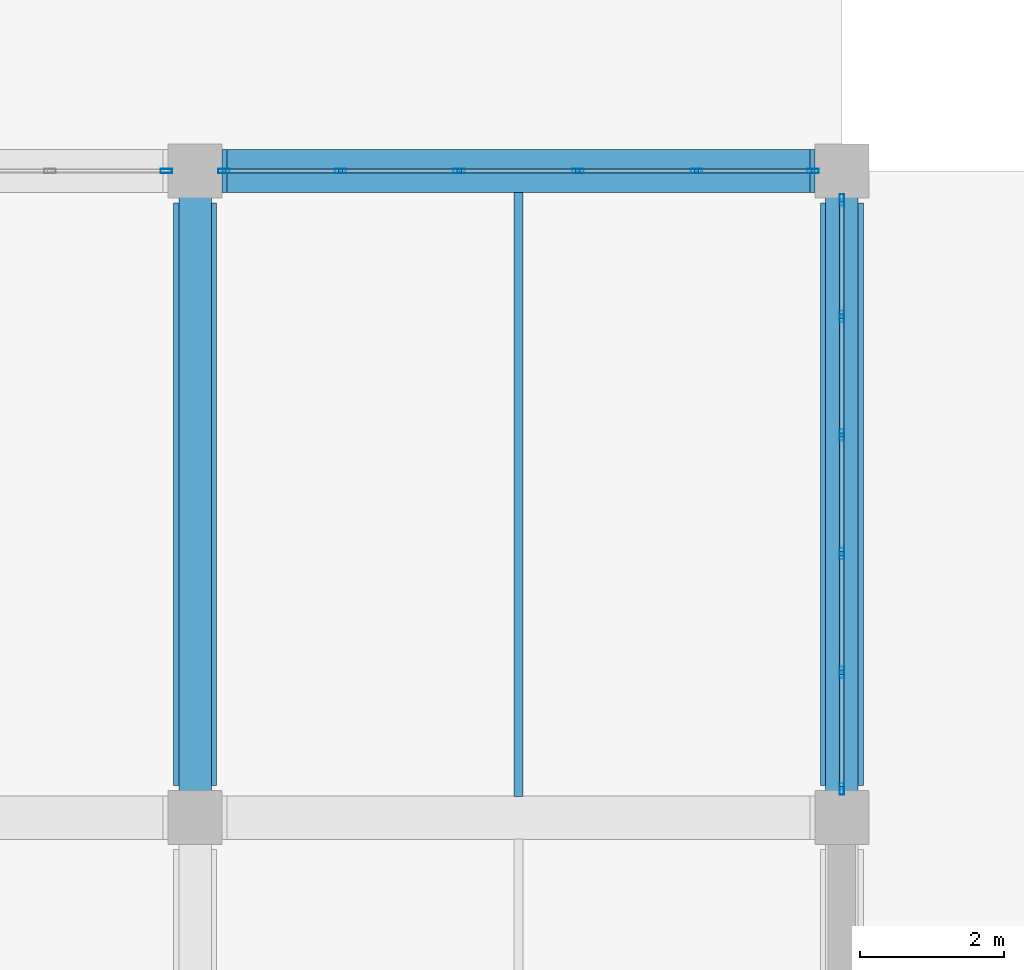
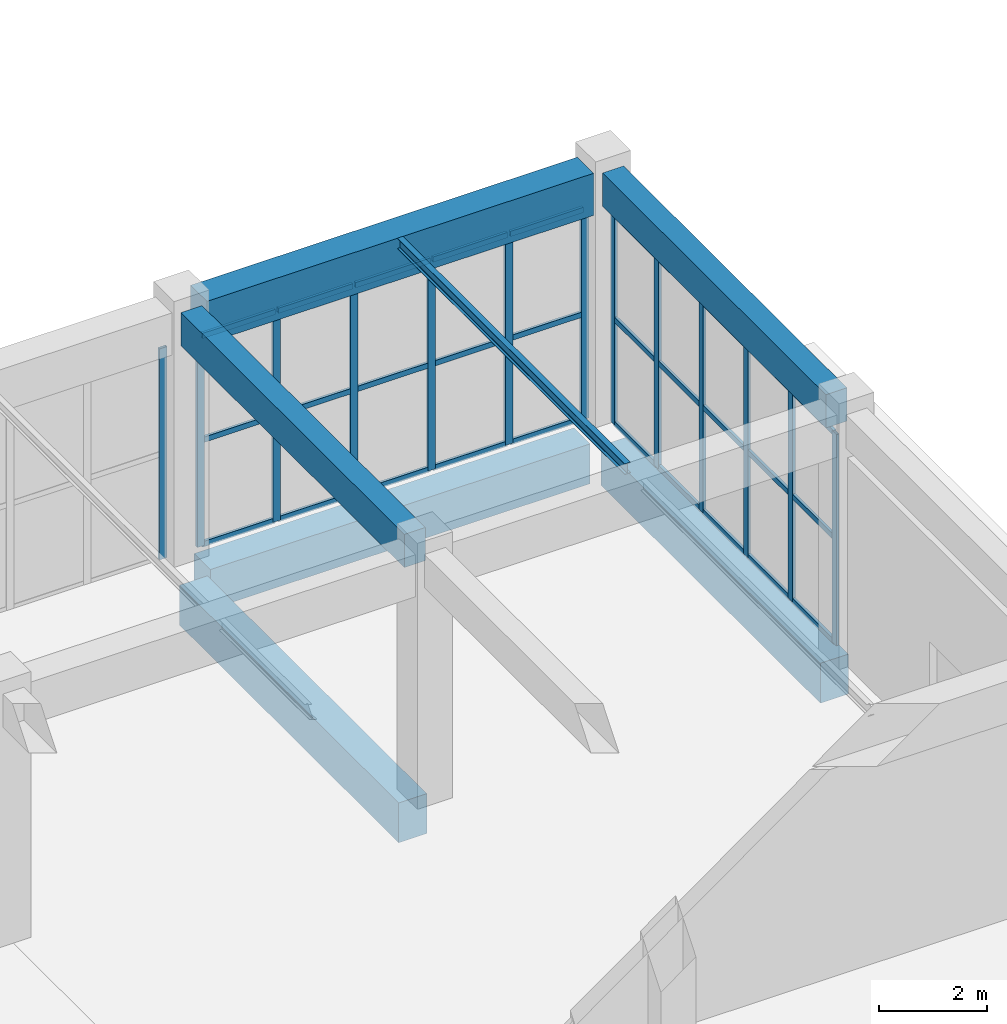
# One storey, part 24 of 91: 43 members, 7 beams, 3 elements without a shape of their own.
"""IFC4 building model written with IfcOpenShell, lengths in metres."""

from ifc_helpers import new_model, si_unit, direction, frame, origin, origin_2d, place, context, subcontext, project, spatial, rectangle, hollow_rectangle, i_section, extrude, material, layer, layer_set, material_profile, profile_set, type_object, element, aggregate, save


model = new_model("IFC4")

# Units and contexts
model_context = context("Model", 3, precision=1e-05, world=origin(), true_north=direction((0.0, 1.0)))
body_context = subcontext(model_context, "Body", "Model", "MODEL_VIEW")
ifc_project = project(units=[si_unit("LENGTHUNIT", "METRE"), si_unit("AREAUNIT", "SQUARE_METRE"), si_unit("VOLUMEUNIT", "CUBIC_METRE"), si_unit("PLANEANGLEUNIT", "RADIAN"), si_unit("MASSUNIT", "GRAM", prefix="KILO")], contexts=[model_context])

# Site, building, storey
site_placement = place(None, origin())
site = spatial("IfcSite", under=ifc_project, at=site_placement, CompositionType="ELEMENT")
building_placement = place(site_placement, origin())
building = spatial("IfcBuilding", under=site, at=building_placement, Name="Dornveld Trade and Exhibition Forum", CompositionType="ELEMENT")
storey_placement = place(building_placement, origin())
storey = spatial("IfcBuildingStorey", under=building, at=storey_placement, Name="L00", CompositionType="ELEMENT", Elevation=0.0)

# Beams
ifc_material_1 = material(Name="Concrete C40/50", Category="concrete")
ifc_material_profile_1 = material_profile(ifc_material_1, rectangle(XDim=0.60009765625, YDim=0.89990234375, at=origin_2d()), Name="RC-GB 600x900")
ifc_profile_set_1 = profile_set([ifc_material_profile_1], Name="Concrete C40/50")
beam_type_1 = type_object("IfcBeamType", Name="BM-GB-600x900", PredefinedType="BEAM", material=ifc_profile_set_1)
for number, where, z_axis, x_axis, name in (
    (1, (225.446044921875, 54.0, -0.830078125), (1.0, 0.0, 0.0), (0.0, 1.0, 0.0), "L00 X-girder 610"),
    (2, (225.0, 45.446044921875, -0.830078125), (0.0, 1.0, 0.0), (-1.0, 0.0, 0.0), "L00 Y-girder 646"),
    (3, (234.0, 45.446044921875, -0.830078125), (0.0, 1.0, 0.0), (-1.0, 0.0, 0.0), "L00 Y-girder 650"),
):
    element("IfcBeam", number, at=place(storey_placement, frame(where, z_axis=z_axis, x_axis=x_axis)), inside=storey, type_object=beam_type_1, Name=name, PredefinedType="BEAM", context=body_context, shape_type="SweptSolid", body=[
        extrude(rectangle(XDim=0.60009765625, YDim=0.89990234375, at=origin_2d()), origin(), (0.0, 0.0, 1.0), 8.10791015625),
    ])
ifc_material_2 = material(Name="Steel S355J2", Category="steel")
ifc_material_profile_2 = material_profile(ifc_material_2, i_section(OverallWidth=0.1201171875, OverallDepth=0.239990234375, WebThickness=0.006103515625, FlangeThickness=0.009765625, FilletRadius=0.014892578125, at=origin_2d()), Name="IPE 240")
ifc_profile_set_2 = profile_set([ifc_material_profile_2], Name="Steel S355J2")
beam_type_2 = type_object("IfcBeamType", Name="BM-JOIST-240", PredefinedType="JOIST", material=ifc_profile_set_2)
beam_1_placement = place(storey_placement, frame((229.5, 45.297119140625, 5.580078125), z_axis=(0.0, 1.0, 0.0), x_axis=(-1.0, 0.0, 0.0)))
element("IfcBeam", 4, at=beam_1_placement, inside=storey, type_object=beam_type_2, Name="L00 secondary joist 954", PredefinedType="JOIST", context=body_context, shape_type="SweptSolid", body=[
    extrude(i_section(OverallWidth=0.1201171875, OverallDepth=0.239990234375, WebThickness=0.006103515625, FlangeThickness=0.009765625, FilletRadius=0.014892578125, at=origin_2d()), origin(), (0.0, 0.0, 1.0), 8.40576171875),
])
ifc_material_3 = material(Name="Precast concrete C50/60", Category="concrete")
ifc_material_profile_3 = material_profile(ifc_material_3, rectangle(XDim=0.449951171875, YDim=0.75, at=origin_2d()), Name="PC-BM 450x750")
ifc_profile_set_3 = profile_set([ifc_material_profile_3], Name="Precast concrete C50/60")
beam_type_3 = type_object("IfcBeamType", Name="BM-PC-450x750", PredefinedType="BEAM", material=ifc_profile_set_3)
for number, where, z_axis, x_axis, name in (
    (5, (225.0, 45.37109375, 5.324951171875), (0.0, 1.0, 0.0), (-1.0, 0.0, 0.0), "L00 Y-girder 927"),
    (6, (234.0, 45.37109375, 5.324951171875), (0.0, 1.0, 0.0), (-1.0, 0.0, 0.0), "L00 Y-girder 933"),
):
    element("IfcBeam", number, at=place(storey_placement, frame(where, z_axis=z_axis, x_axis=x_axis)), inside=storey, type_object=beam_type_3, Name=name, PredefinedType="BEAM", context=body_context, shape_type="SweptSolid", body=[
        extrude(rectangle(XDim=0.449951171875, YDim=0.75, at=origin_2d()), origin(), (0.0, 0.0, 1.0), 8.2578125),
    ])
ifc_material_4 = material(Name="Precast concrete C50/60", Category="concrete")
ifc_material_profile_4 = material_profile(ifc_material_4, rectangle(XDim=0.60009765625, YDim=0.949951171875, at=origin_2d()), Name="PC-GIR 600x950")
ifc_profile_set_4 = profile_set([ifc_material_profile_4], Name="Precast concrete C50/60")
beam_type_4 = type_object("IfcBeamType", Name="BM-PC-600x950", PredefinedType="T_BEAM", material=ifc_profile_set_4)
beam_2_placement = place(storey_placement, frame((225.37109375, 54.0, 5.22509765625), z_axis=(1.0, 0.0, 0.0), x_axis=(0.0, 1.0, 0.0)))
element("IfcBeam", 7, at=beam_2_placement, inside=storey, type_object=beam_type_4, Name="L00 X-girder 903", PredefinedType="T_BEAM", context=body_context, shape_type="SweptSolid", body=[
    extrude(rectangle(XDim=0.60009765625, YDim=0.949951171875, at=origin_2d()), origin(), (0.0, 0.0, 1.0), 8.2578125),
])

# Curtain wall, members
ifc_material_5 = material(Name="Dark-bronze anodised aluminium and low-E glass", Category="aluminium")
ifc_layer_1 = layer(ifc_material_5, 0.18701171875)
ifc_layer_set_1 = layer_set([ifc_layer_1], Name="Dark-bronze anodised aluminium and low-E glass")
curtain_wall_type_1 = type_object("IfcCurtainWallType", Name="CW-SYS-15", PredefinedType="USERDEFINED", material=ifc_layer_set_1)
curtain_wall_1_placement = place(storey_placement, origin())
curtain_wall_1 = element("IfcCurtainWall", 8, at=curtain_wall_1_placement, inside=storey, type_object=curtain_wall_type_1, Name="L00 unitised curtain wall 69", ObjectType="UNITISED_CURTAIN_WALL", PredefinedType="USERDEFINED")
ifc_material_6 = material(Name="Dark-bronze anodised aluminium", Category="aluminium")
ifc_material_profile_5 = material_profile(ifc_material_6, hollow_rectangle(XDim=0.06005859375, YDim=0.159912109375, WallThickness=0.00390625, at=origin_2d()), Name="RHS 160x60x4")
ifc_profile_set_5 = profile_set([ifc_material_profile_5], Name="Dark-bronze anodised aluminium")
member_type_1 = type_object("IfcMemberType", Name="CW-MUL-160", PredefinedType="MULLION", material=ifc_profile_set_5)
member_1_placement = place(storey_placement, frame((234.0, 45.40087890625, -0.00390625), z_axis=(0.0, 0.0, 1.0), x_axis=(-1.0, 0.0, 0.0)))
member_1 = element("IfcMember", 9, at=member_1_placement, type_object=member_type_1, Name="CW-15 mullion 1", PredefinedType="MULLION", context=body_context, shape_type="SweptSolid", body=[
    extrude(hollow_rectangle(XDim=0.06005859375, YDim=0.159912109375, WallThickness=0.00390625, at=origin_2d()), origin(), (0.0, 0.0, 1.0), 4.763916015625),
])
member_2_placement = place(storey_placement, frame((234.0, 47.022705078125, -0.00390625), z_axis=(0.0, 0.0, 1.0), x_axis=(-1.0, 0.0, 0.0)))
member_2 = element("IfcMember", 10, at=member_2_placement, type_object=member_type_1, Name="CW-15 mullion 2", PredefinedType="MULLION", context=body_context, shape_type="SweptSolid", body=[
    extrude(hollow_rectangle(XDim=0.06005859375, YDim=0.159912109375, WallThickness=0.00390625, at=origin_2d()), origin(), (0.0, 0.0, 1.0), 4.763916015625),
])
member_3_placement = place(storey_placement, frame((234.0, 48.67431640625, -0.00390625), z_axis=(0.0, 0.0, 1.0), x_axis=(-1.0, 0.0, 0.0)))
member_3 = element("IfcMember", 11, at=member_3_placement, type_object=member_type_1, Name="CW-15 mullion 3", PredefinedType="MULLION", context=body_context, shape_type="SweptSolid", body=[
    extrude(hollow_rectangle(XDim=0.06005859375, YDim=0.159912109375, WallThickness=0.00390625, at=origin_2d()), origin(), (0.0, 0.0, 1.0), 4.763916015625),
])
member_4_placement = place(storey_placement, frame((234.0, 50.32568359375, -0.00390625), z_axis=(0.0, 0.0, 1.0), x_axis=(-1.0, 0.0, 0.0)))
member_4 = element("IfcMember", 12, at=member_4_placement, type_object=member_type_1, Name="CW-15 mullion 4", PredefinedType="MULLION", context=body_context, shape_type="SweptSolid", body=[
    extrude(hollow_rectangle(XDim=0.06005859375, YDim=0.159912109375, WallThickness=0.00390625, at=origin_2d()), origin(), (0.0, 0.0, 1.0), 4.763916015625),
])
member_5_placement = place(storey_placement, frame((234.0, 51.977294921875, -0.00390625), z_axis=(0.0, 0.0, 1.0), x_axis=(-1.0, 0.0, 0.0)))
member_5 = element("IfcMember", 13, at=member_5_placement, type_object=member_type_1, Name="CW-15 mullion 5", PredefinedType="MULLION", context=body_context, shape_type="SweptSolid", body=[
    extrude(hollow_rectangle(XDim=0.06005859375, YDim=0.159912109375, WallThickness=0.00390625, at=origin_2d()), origin(), (0.0, 0.0, 1.0), 4.763916015625),
])
member_6_placement = place(storey_placement, frame((234.0, 53.59912109375, -0.00390625), z_axis=(0.0, 0.0, 1.0), x_axis=(-1.0, 0.0, 0.0)))
member_6 = element("IfcMember", 14, at=member_6_placement, type_object=member_type_1, Name="CW-15 mullion 6", PredefinedType="MULLION", context=body_context, shape_type="SweptSolid", body=[
    extrude(hollow_rectangle(XDim=0.06005859375, YDim=0.159912109375, WallThickness=0.00390625, at=origin_2d()), origin(), (0.0, 0.0, 1.0), 4.763916015625),
])

# Curtain wall, member
ifc_material_7 = material(Name="Dark-bronze anodised aluminium and low-E glass", Category="aluminium")
ifc_layer_2 = layer(ifc_material_7, 0.180908203125)
ifc_layer_set_2 = layer_set([ifc_layer_2], Name="Dark-bronze anodised aluminium and low-E glass")
curtain_wall_type_2 = type_object("IfcCurtainWallType", Name="CW-SYS-13", PredefinedType="USERDEFINED", material=ifc_layer_set_2)
curtain_wall_2_placement = place(storey_placement, origin())
curtain_wall_2 = element("IfcCurtainWall", 15, at=curtain_wall_2_placement, inside=storey, type_object=curtain_wall_type_2, Name="L00 unitised curtain wall 85", ObjectType="UNITISED_CURTAIN_WALL", PredefinedType="USERDEFINED")
member_7_placement = place(storey_placement, frame((224.59912109375, 54.0, -0.00390625), z_axis=(0.0, 0.0, 1.0), x_axis=(0.0, -1.0, 0.0)))
member_7 = element("IfcMember", 16, at=member_7_placement, type_object=member_type_1, Name="CW-13 mullion 1", PredefinedType="MULLION", context=body_context, shape_type="SweptSolid", body=[
    extrude(hollow_rectangle(XDim=0.06005859375, YDim=0.159912109375, WallThickness=0.00390625, at=origin_2d()), origin(), (0.0, 0.0, 1.0), 4.763916015625),
])
aggregate(curtain_wall_2, [member_7])

# Curtain wall, members
ifc_material_8 = material(Name="Dark-bronze anodised aluminium and low-E glass", Category="aluminium")
ifc_layer_3 = layer(ifc_material_8, 0.18408203125)
ifc_layer_set_3 = layer_set([ifc_layer_3], Name="Dark-bronze anodised aluminium and low-E glass")
curtain_wall_type_3 = type_object("IfcCurtainWallType", Name="CW-SYS-14", PredefinedType="USERDEFINED", material=ifc_layer_set_3)
curtain_wall_3_placement = place(storey_placement, origin())
curtain_wall_3 = element("IfcCurtainWall", 17, at=curtain_wall_3_placement, inside=storey, type_object=curtain_wall_type_3, Name="L00 unitised curtain wall 86", ObjectType="UNITISED_CURTAIN_WALL", PredefinedType="USERDEFINED")
member_8_placement = place(storey_placement, frame((233.59912109375, 54.0, -0.00390625), z_axis=(0.0, 0.0, 1.0), x_axis=(0.0, -1.0, 0.0)))
member_8 = element("IfcMember", 18, at=member_8_placement, type_object=member_type_1, Name="CW-14 mullion 1", PredefinedType="MULLION", context=body_context, shape_type="SweptSolid", body=[
    extrude(hollow_rectangle(XDim=0.06005859375, YDim=0.159912109375, WallThickness=0.00390625, at=origin_2d()), origin(), (0.0, 0.0, 1.0), 4.763916015625),
])
member_9_placement = place(storey_placement, frame((231.977294921875, 54.0, -0.00390625), z_axis=(0.0, 0.0, 1.0), x_axis=(0.0, -1.0, 0.0)))
member_9 = element("IfcMember", 19, at=member_9_placement, type_object=member_type_1, Name="CW-14 mullion 2", PredefinedType="MULLION", context=body_context, shape_type="SweptSolid", body=[
    extrude(hollow_rectangle(XDim=0.06005859375, YDim=0.159912109375, WallThickness=0.00390625, at=origin_2d()), origin(), (0.0, 0.0, 1.0), 4.763916015625),
])
member_10_placement = place(storey_placement, frame((230.32568359375, 54.0, -0.00390625), z_axis=(0.0, 0.0, 1.0), x_axis=(0.0, -1.0, 0.0)))
member_10 = element("IfcMember", 20, at=member_10_placement, type_object=member_type_1, Name="CW-14 mullion 3", PredefinedType="MULLION", context=body_context, shape_type="SweptSolid", body=[
    extrude(hollow_rectangle(XDim=0.06005859375, YDim=0.159912109375, WallThickness=0.00390625, at=origin_2d()), origin(), (0.0, 0.0, 1.0), 4.763916015625),
])
member_11_placement = place(storey_placement, frame((228.67431640625, 54.0, -0.00390625), z_axis=(0.0, 0.0, 1.0), x_axis=(0.0, -1.0, 0.0)))
member_11 = element("IfcMember", 21, at=member_11_placement, type_object=member_type_1, Name="CW-14 mullion 4", PredefinedType="MULLION", context=body_context, shape_type="SweptSolid", body=[
    extrude(hollow_rectangle(XDim=0.06005859375, YDim=0.159912109375, WallThickness=0.00390625, at=origin_2d()), origin(), (0.0, 0.0, 1.0), 4.763916015625),
])
member_12_placement = place(storey_placement, frame((227.022705078125, 54.0, -0.00390625), z_axis=(0.0, 0.0, 1.0), x_axis=(0.0, -1.0, 0.0)))
member_12 = element("IfcMember", 22, at=member_12_placement, type_object=member_type_1, Name="CW-14 mullion 5", PredefinedType="MULLION", context=body_context, shape_type="SweptSolid", body=[
    extrude(hollow_rectangle(XDim=0.06005859375, YDim=0.159912109375, WallThickness=0.00390625, at=origin_2d()), origin(), (0.0, 0.0, 1.0), 4.763916015625),
])
member_13_placement = place(storey_placement, frame((225.40087890625, 54.0, -0.00390625), z_axis=(0.0, 0.0, 1.0), x_axis=(0.0, -1.0, 0.0)))
member_13 = element("IfcMember", 23, at=member_13_placement, type_object=member_type_1, Name="CW-14 mullion 6", PredefinedType="MULLION", context=body_context, shape_type="SweptSolid", body=[
    extrude(hollow_rectangle(XDim=0.06005859375, YDim=0.159912109375, WallThickness=0.00390625, at=origin_2d()), origin(), (0.0, 0.0, 1.0), 4.763916015625),
])

# Member
ifc_material_9 = material(Name="Dark-bronze anodised aluminium", Category="aluminium")
ifc_material_profile_6 = material_profile(ifc_material_9, hollow_rectangle(XDim=0.06005859375, YDim=0.1201171875, WallThickness=0.00390625, at=origin_2d()), Name="RHS 120x60x4")
ifc_profile_set_6 = profile_set([ifc_material_profile_6], Name="Dark-bronze anodised aluminium")
member_type_2 = type_object("IfcMemberType", Name="CW-TRN-120", PredefinedType="USERDEFINED", material=ifc_profile_set_6)
member_14_placement = place(storey_placement, frame((234.0, 45.430908203125, 0.02587890625), z_axis=(0.0, 1.0, 0.0), x_axis=(-1.0, 0.0, 0.0)))
member_14 = element("IfcMember", 24, at=member_14_placement, type_object=member_type_2, Name="CW-15 transom 1.1", ObjectType="TRANSOM", PredefinedType="USERDEFINED", context=body_context, shape_type="SweptSolid", body=[
    extrude(hollow_rectangle(XDim=0.06005859375, YDim=0.1201171875, WallThickness=0.00390625, at=origin_2d()), origin(), (0.0, 0.0, 1.0), 1.561767578125),
])

member_15_placement = place(storey_placement, frame((234.0, 45.430908203125, 2.3779296875), z_axis=(0.0, 1.0, 0.0), x_axis=(-1.0, 0.0, 0.0)))
member_15 = element("IfcMember", 25, at=member_15_placement, type_object=member_type_2, Name="CW-15 transom 1.2", ObjectType="TRANSOM", PredefinedType="USERDEFINED", context=body_context, shape_type="SweptSolid", body=[
    extrude(hollow_rectangle(XDim=0.06005859375, YDim=0.1201171875, WallThickness=0.00390625, at=origin_2d()), origin(), (0.0, 0.0, 1.0), 1.561767578125),
])

member_16_placement = place(storey_placement, frame((234.0, 45.430908203125, 4.72998046875), z_axis=(0.0, 1.0, 0.0), x_axis=(-1.0, 0.0, 0.0)))
member_16 = element("IfcMember", 26, at=member_16_placement, type_object=member_type_2, Name="CW-15 transom 1.3", ObjectType="TRANSOM", PredefinedType="USERDEFINED", context=body_context, shape_type="SweptSolid", body=[
    extrude(hollow_rectangle(XDim=0.06005859375, YDim=0.1201171875, WallThickness=0.00390625, at=origin_2d()), origin(), (0.0, 0.0, 1.0), 1.561767578125),
])

member_17_placement = place(storey_placement, frame((234.0, 47.052490234375, 0.02587890625), z_axis=(0.0, 1.0, 0.0), x_axis=(-1.0, 0.0, 0.0)))
member_17 = element("IfcMember", 27, at=member_17_placement, type_object=member_type_2, Name="CW-15 transom 2.1", ObjectType="TRANSOM", PredefinedType="USERDEFINED", context=body_context, shape_type="SweptSolid", body=[
    extrude(hollow_rectangle(XDim=0.06005859375, YDim=0.1201171875, WallThickness=0.00390625, at=origin_2d()), origin(), (0.0, 0.0, 1.0), 1.591796875),
])

member_18_placement = place(storey_placement, frame((234.0, 47.052490234375, 2.3779296875), z_axis=(0.0, 1.0, 0.0), x_axis=(-1.0, 0.0, 0.0)))
member_18 = element("IfcMember", 28, at=member_18_placement, type_object=member_type_2, Name="CW-15 transom 2.2", ObjectType="TRANSOM", PredefinedType="USERDEFINED", context=body_context, shape_type="SweptSolid", body=[
    extrude(hollow_rectangle(XDim=0.06005859375, YDim=0.1201171875, WallThickness=0.00390625, at=origin_2d()), origin(), (0.0, 0.0, 1.0), 1.591796875),
])

member_19_placement = place(storey_placement, frame((234.0, 47.052490234375, 4.72998046875), z_axis=(0.0, 1.0, 0.0), x_axis=(-1.0, 0.0, 0.0)))
member_19 = element("IfcMember", 29, at=member_19_placement, type_object=member_type_2, Name="CW-15 transom 2.3", ObjectType="TRANSOM", PredefinedType="USERDEFINED", context=body_context, shape_type="SweptSolid", body=[
    extrude(hollow_rectangle(XDim=0.06005859375, YDim=0.1201171875, WallThickness=0.00390625, at=origin_2d()), origin(), (0.0, 0.0, 1.0), 1.591796875),
])

member_20_placement = place(storey_placement, frame((234.0, 48.7041015625, 0.02587890625), z_axis=(0.0, 1.0, 0.0), x_axis=(-1.0, 0.0, 0.0)))
member_20 = element("IfcMember", 30, at=member_20_placement, type_object=member_type_2, Name="CW-15 transom 3.1", ObjectType="TRANSOM", PredefinedType="USERDEFINED", context=body_context, shape_type="SweptSolid", body=[
    extrude(hollow_rectangle(XDim=0.06005859375, YDim=0.1201171875, WallThickness=0.00390625, at=origin_2d()), origin(), (0.0, 0.0, 1.0), 1.591796875),
])

member_21_placement = place(storey_placement, frame((234.0, 48.7041015625, 2.3779296875), z_axis=(0.0, 1.0, 0.0), x_axis=(-1.0, 0.0, 0.0)))
member_21 = element("IfcMember", 31, at=member_21_placement, type_object=member_type_2, Name="CW-15 transom 3.2", ObjectType="TRANSOM", PredefinedType="USERDEFINED", context=body_context, shape_type="SweptSolid", body=[
    extrude(hollow_rectangle(XDim=0.06005859375, YDim=0.1201171875, WallThickness=0.00390625, at=origin_2d()), origin(), (0.0, 0.0, 1.0), 1.591796875),
])

member_22_placement = place(storey_placement, frame((234.0, 48.7041015625, 4.72998046875), z_axis=(0.0, 1.0, 0.0), x_axis=(-1.0, 0.0, 0.0)))
member_22 = element("IfcMember", 32, at=member_22_placement, type_object=member_type_2, Name="CW-15 transom 3.3", ObjectType="TRANSOM", PredefinedType="USERDEFINED", context=body_context, shape_type="SweptSolid", body=[
    extrude(hollow_rectangle(XDim=0.06005859375, YDim=0.1201171875, WallThickness=0.00390625, at=origin_2d()), origin(), (0.0, 0.0, 1.0), 1.591796875),
])

member_23_placement = place(storey_placement, frame((234.0, 50.355712890625, 0.02587890625), z_axis=(0.0, 1.0, 0.0), x_axis=(-1.0, 0.0, 0.0)))
member_23 = element("IfcMember", 33, at=member_23_placement, type_object=member_type_2, Name="CW-15 transom 4.1", ObjectType="TRANSOM", PredefinedType="USERDEFINED", context=body_context, shape_type="SweptSolid", body=[
    extrude(hollow_rectangle(XDim=0.06005859375, YDim=0.1201171875, WallThickness=0.00390625, at=origin_2d()), origin(), (0.0, 0.0, 1.0), 1.591796875),
])

member_24_placement = place(storey_placement, frame((234.0, 50.355712890625, 2.3779296875), z_axis=(0.0, 1.0, 0.0), x_axis=(-1.0, 0.0, 0.0)))
member_24 = element("IfcMember", 34, at=member_24_placement, type_object=member_type_2, Name="CW-15 transom 4.2", ObjectType="TRANSOM", PredefinedType="USERDEFINED", context=body_context, shape_type="SweptSolid", body=[
    extrude(hollow_rectangle(XDim=0.06005859375, YDim=0.1201171875, WallThickness=0.00390625, at=origin_2d()), origin(), (0.0, 0.0, 1.0), 1.591796875),
])

member_25_placement = place(storey_placement, frame((234.0, 50.355712890625, 4.72998046875), z_axis=(0.0, 1.0, 0.0), x_axis=(-1.0, 0.0, 0.0)))
member_25 = element("IfcMember", 35, at=member_25_placement, type_object=member_type_2, Name="CW-15 transom 4.3", ObjectType="TRANSOM", PredefinedType="USERDEFINED", context=body_context, shape_type="SweptSolid", body=[
    extrude(hollow_rectangle(XDim=0.06005859375, YDim=0.1201171875, WallThickness=0.00390625, at=origin_2d()), origin(), (0.0, 0.0, 1.0), 1.591796875),
])

member_26_placement = place(storey_placement, frame((234.0, 52.00732421875, 0.02587890625), z_axis=(0.0, 1.0, 0.0), x_axis=(-1.0, 0.0, 0.0)))
member_26 = element("IfcMember", 36, at=member_26_placement, type_object=member_type_2, Name="CW-15 transom 5.1", ObjectType="TRANSOM", PredefinedType="USERDEFINED", context=body_context, shape_type="SweptSolid", body=[
    extrude(hollow_rectangle(XDim=0.06005859375, YDim=0.1201171875, WallThickness=0.00390625, at=origin_2d()), origin(), (0.0, 0.0, 1.0), 1.561767578125),
])

member_27_placement = place(storey_placement, frame((234.0, 52.00732421875, 2.3779296875), z_axis=(0.0, 1.0, 0.0), x_axis=(-1.0, 0.0, 0.0)))
member_27 = element("IfcMember", 37, at=member_27_placement, type_object=member_type_2, Name="CW-15 transom 5.2", ObjectType="TRANSOM", PredefinedType="USERDEFINED", context=body_context, shape_type="SweptSolid", body=[
    extrude(hollow_rectangle(XDim=0.06005859375, YDim=0.1201171875, WallThickness=0.00390625, at=origin_2d()), origin(), (0.0, 0.0, 1.0), 1.561767578125),
])

member_28_placement = place(storey_placement, frame((234.0, 52.00732421875, 4.72998046875), z_axis=(0.0, 1.0, 0.0), x_axis=(-1.0, 0.0, 0.0)))
member_28 = element("IfcMember", 38, at=member_28_placement, type_object=member_type_2, Name="CW-15 transom 5.3", ObjectType="TRANSOM", PredefinedType="USERDEFINED", context=body_context, shape_type="SweptSolid", body=[
    extrude(hollow_rectangle(XDim=0.06005859375, YDim=0.1201171875, WallThickness=0.00390625, at=origin_2d()), origin(), (0.0, 0.0, 1.0), 1.561767578125),
])

aggregate(curtain_wall_1, [member_1, member_2, member_3, member_4, member_5, member_6, member_14, member_15, member_16, member_17, member_18, member_19, member_20, member_21, member_22, member_23, member_24, member_25, member_26, member_27, member_28])

member_29_placement = place(storey_placement, frame((233.569091796875, 54.0, 0.02587890625), z_axis=(-1.0, 0.0, 0.0), x_axis=(0.0, -1.0, 0.0)))
member_29 = element("IfcMember", 39, at=member_29_placement, type_object=member_type_2, Name="CW-14 transom 1.1", ObjectType="TRANSOM", PredefinedType="USERDEFINED", context=body_context, shape_type="SweptSolid", body=[
    extrude(hollow_rectangle(XDim=0.06005859375, YDim=0.1201171875, WallThickness=0.00390625, at=origin_2d()), origin(), (0.0, 0.0, 1.0), 1.561767578125),
])

member_30_placement = place(storey_placement, frame((233.569091796875, 54.0, 2.3779296875), z_axis=(-1.0, 0.0, 0.0), x_axis=(0.0, -1.0, 0.0)))
member_30 = element("IfcMember", 40, at=member_30_placement, type_object=member_type_2, Name="CW-14 transom 1.2", ObjectType="TRANSOM", PredefinedType="USERDEFINED", context=body_context, shape_type="SweptSolid", body=[
    extrude(hollow_rectangle(XDim=0.06005859375, YDim=0.1201171875, WallThickness=0.00390625, at=origin_2d()), origin(), (0.0, 0.0, 1.0), 1.561767578125),
])

member_31_placement = place(storey_placement, frame((233.569091796875, 54.0, 4.72998046875), z_axis=(-1.0, 0.0, 0.0), x_axis=(0.0, -1.0, 0.0)))
member_31 = element("IfcMember", 41, at=member_31_placement, type_object=member_type_2, Name="CW-14 transom 1.3", ObjectType="TRANSOM", PredefinedType="USERDEFINED", context=body_context, shape_type="SweptSolid", body=[
    extrude(hollow_rectangle(XDim=0.06005859375, YDim=0.1201171875, WallThickness=0.00390625, at=origin_2d()), origin(), (0.0, 0.0, 1.0), 1.561767578125),
])

member_32_placement = place(storey_placement, frame((231.947509765625, 54.0, 0.02587890625), z_axis=(-1.0, 0.0, 0.0), x_axis=(0.0, -1.0, 0.0)))
member_32 = element("IfcMember", 42, at=member_32_placement, type_object=member_type_2, Name="CW-14 transom 2.1", ObjectType="TRANSOM", PredefinedType="USERDEFINED", context=body_context, shape_type="SweptSolid", body=[
    extrude(hollow_rectangle(XDim=0.06005859375, YDim=0.1201171875, WallThickness=0.00390625, at=origin_2d()), origin(), (0.0, 0.0, 1.0), 1.591796875),
])

member_33_placement = place(storey_placement, frame((231.947509765625, 54.0, 2.3779296875), z_axis=(-1.0, 0.0, 0.0), x_axis=(0.0, -1.0, 0.0)))
member_33 = element("IfcMember", 43, at=member_33_placement, type_object=member_type_2, Name="CW-14 transom 2.2", ObjectType="TRANSOM", PredefinedType="USERDEFINED", context=body_context, shape_type="SweptSolid", body=[
    extrude(hollow_rectangle(XDim=0.06005859375, YDim=0.1201171875, WallThickness=0.00390625, at=origin_2d()), origin(), (0.0, 0.0, 1.0), 1.591796875),
])

member_34_placement = place(storey_placement, frame((231.947509765625, 54.0, 4.72998046875), z_axis=(-1.0, 0.0, 0.0), x_axis=(0.0, -1.0, 0.0)))
member_34 = element("IfcMember", 44, at=member_34_placement, type_object=member_type_2, Name="CW-14 transom 2.3", ObjectType="TRANSOM", PredefinedType="USERDEFINED", context=body_context, shape_type="SweptSolid", body=[
    extrude(hollow_rectangle(XDim=0.06005859375, YDim=0.1201171875, WallThickness=0.00390625, at=origin_2d()), origin(), (0.0, 0.0, 1.0), 1.591796875),
])

member_35_placement = place(storey_placement, frame((230.2958984375, 54.0, 0.02587890625), z_axis=(-1.0, 0.0, 0.0), x_axis=(0.0, -1.0, 0.0)))
member_35 = element("IfcMember", 45, at=member_35_placement, type_object=member_type_2, Name="CW-14 transom 3.1", ObjectType="TRANSOM", PredefinedType="USERDEFINED", context=body_context, shape_type="SweptSolid", body=[
    extrude(hollow_rectangle(XDim=0.06005859375, YDim=0.1201171875, WallThickness=0.00390625, at=origin_2d()), origin(), (0.0, 0.0, 1.0), 1.591796875),
])

member_36_placement = place(storey_placement, frame((230.2958984375, 54.0, 2.3779296875), z_axis=(-1.0, 0.0, 0.0), x_axis=(0.0, -1.0, 0.0)))
member_36 = element("IfcMember", 46, at=member_36_placement, type_object=member_type_2, Name="CW-14 transom 3.2", ObjectType="TRANSOM", PredefinedType="USERDEFINED", context=body_context, shape_type="SweptSolid", body=[
    extrude(hollow_rectangle(XDim=0.06005859375, YDim=0.1201171875, WallThickness=0.00390625, at=origin_2d()), origin(), (0.0, 0.0, 1.0), 1.591796875),
])

member_37_placement = place(storey_placement, frame((230.2958984375, 54.0, 4.72998046875), z_axis=(-1.0, 0.0, 0.0), x_axis=(0.0, -1.0, 0.0)))
member_37 = element("IfcMember", 47, at=member_37_placement, type_object=member_type_2, Name="CW-14 transom 3.3", ObjectType="TRANSOM", PredefinedType="USERDEFINED", context=body_context, shape_type="SweptSolid", body=[
    extrude(hollow_rectangle(XDim=0.06005859375, YDim=0.1201171875, WallThickness=0.00390625, at=origin_2d()), origin(), (0.0, 0.0, 1.0), 1.591796875),
])

member_38_placement = place(storey_placement, frame((228.644287109375, 54.0, 0.02587890625), z_axis=(-1.0, 0.0, 0.0), x_axis=(0.0, -1.0, 0.0)))
member_38 = element("IfcMember", 48, at=member_38_placement, type_object=member_type_2, Name="CW-14 transom 4.1", ObjectType="TRANSOM", PredefinedType="USERDEFINED", context=body_context, shape_type="SweptSolid", body=[
    extrude(hollow_rectangle(XDim=0.06005859375, YDim=0.1201171875, WallThickness=0.00390625, at=origin_2d()), origin(), (0.0, 0.0, 1.0), 1.591796875),
])

member_39_placement = place(storey_placement, frame((228.644287109375, 54.0, 2.3779296875), z_axis=(-1.0, 0.0, 0.0), x_axis=(0.0, -1.0, 0.0)))
member_39 = element("IfcMember", 49, at=member_39_placement, type_object=member_type_2, Name="CW-14 transom 4.2", ObjectType="TRANSOM", PredefinedType="USERDEFINED", context=body_context, shape_type="SweptSolid", body=[
    extrude(hollow_rectangle(XDim=0.06005859375, YDim=0.1201171875, WallThickness=0.00390625, at=origin_2d()), origin(), (0.0, 0.0, 1.0), 1.591796875),
])

member_40_placement = place(storey_placement, frame((228.644287109375, 54.0, 4.72998046875), z_axis=(-1.0, 0.0, 0.0), x_axis=(0.0, -1.0, 0.0)))
member_40 = element("IfcMember", 50, at=member_40_placement, type_object=member_type_2, Name="CW-14 transom 4.3", ObjectType="TRANSOM", PredefinedType="USERDEFINED", context=body_context, shape_type="SweptSolid", body=[
    extrude(hollow_rectangle(XDim=0.06005859375, YDim=0.1201171875, WallThickness=0.00390625, at=origin_2d()), origin(), (0.0, 0.0, 1.0), 1.591796875),
])

member_41_placement = place(storey_placement, frame((226.99267578125, 54.0, 0.02587890625), z_axis=(-1.0, 0.0, 0.0), x_axis=(0.0, -1.0, 0.0)))
member_41 = element("IfcMember", 51, at=member_41_placement, type_object=member_type_2, Name="CW-14 transom 5.1", ObjectType="TRANSOM", PredefinedType="USERDEFINED", context=body_context, shape_type="SweptSolid", body=[
    extrude(hollow_rectangle(XDim=0.06005859375, YDim=0.1201171875, WallThickness=0.00390625, at=origin_2d()), origin(), (0.0, 0.0, 1.0), 1.561767578125),
])

member_42_placement = place(storey_placement, frame((226.99267578125, 54.0, 2.3779296875), z_axis=(-1.0, 0.0, 0.0), x_axis=(0.0, -1.0, 0.0)))
member_42 = element("IfcMember", 52, at=member_42_placement, type_object=member_type_2, Name="CW-14 transom 5.2", ObjectType="TRANSOM", PredefinedType="USERDEFINED", context=body_context, shape_type="SweptSolid", body=[
    extrude(hollow_rectangle(XDim=0.06005859375, YDim=0.1201171875, WallThickness=0.00390625, at=origin_2d()), origin(), (0.0, 0.0, 1.0), 1.561767578125),
])

member_43_placement = place(storey_placement, frame((226.99267578125, 54.0, 4.72998046875), z_axis=(-1.0, 0.0, 0.0), x_axis=(0.0, -1.0, 0.0)))
member_43 = element("IfcMember", 53, at=member_43_placement, type_object=member_type_2, Name="CW-14 transom 5.3", ObjectType="TRANSOM", PredefinedType="USERDEFINED", context=body_context, shape_type="SweptSolid", body=[
    extrude(hollow_rectangle(XDim=0.06005859375, YDim=0.1201171875, WallThickness=0.00390625, at=origin_2d()), origin(), (0.0, 0.0, 1.0), 1.561767578125),
])

aggregate(curtain_wall_3, [member_8, member_9, member_10, member_11, member_12, member_13, member_29, member_30, member_31, member_32, member_33, member_34, member_35, member_36, member_37, member_38, member_39, member_40, member_41, member_42, member_43])

save(model, "model.ifc")
